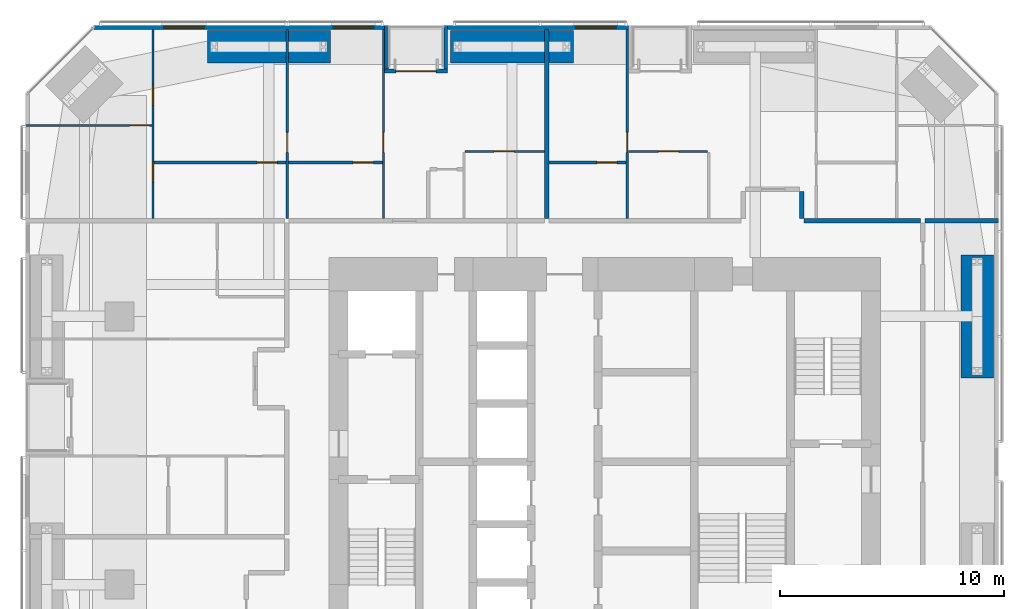
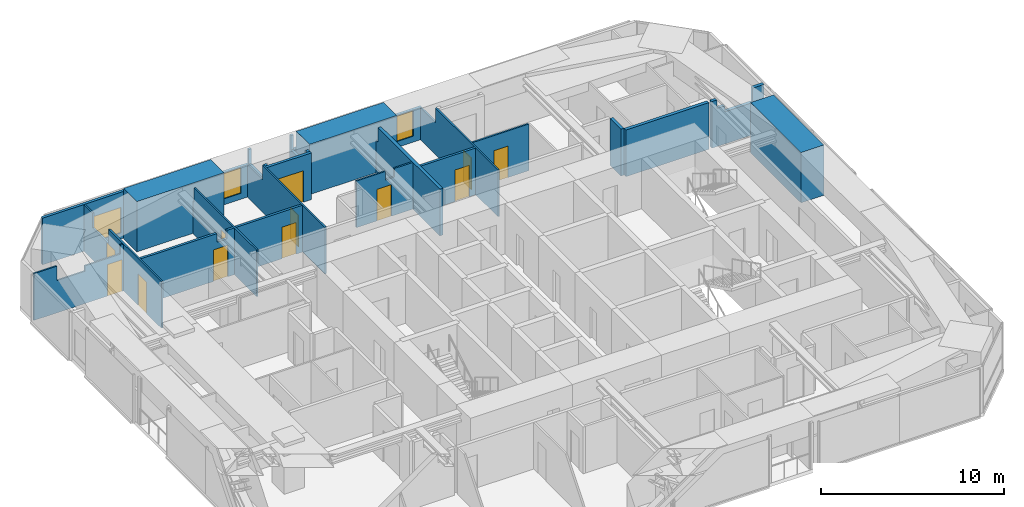
# One storey, part 22 of 24: 22 walls, 12 doors, 3 windows, 15 openings.
"""IFC4 building model written with IfcOpenShell, lengths in metres."""

from ifc_helpers import new_model, si_unit, direction, frame, frame_2d, origin, place, context, subcontext, project, spatial, polyline, rectangle, outline, extrude, material, layer, layer_set, constituent, constituent_set, type_object, element, fill, save


model = new_model("IFC4")

# Units and contexts
model_context = context("Model", 3, precision=1e-05, world=origin(), true_north=direction((0.0, 1.0)))
body_context = subcontext(model_context, "Body", "Model", "MODEL_VIEW")
ifc_project = project(units=[si_unit("LENGTHUNIT", "METRE"), si_unit("AREAUNIT", "SQUARE_METRE"), si_unit("VOLUMEUNIT", "CUBIC_METRE"), si_unit("PLANEANGLEUNIT", "RADIAN"), si_unit("MASSUNIT", "GRAM", prefix="KILO")], contexts=[model_context])

# Site, building, storey
site_placement = place(None, origin())
site = spatial("IfcSite", under=ifc_project, at=site_placement, CompositionType="ELEMENT")
building_placement = place(site_placement, origin())
building = spatial("IfcBuilding", under=site, at=building_placement, Name="Jalousie Tower", CompositionType="ELEMENT")
storey_placement = place(building_placement, frame((0.0, 0.0, 124.949951171875)))
storey = spatial("IfcBuildingStorey", under=building, at=storey_placement, Name="L34", CompositionType="ELEMENT", Elevation=124.949951171875)

# Wall, opening, door
ifc_material_1 = material(Name="Concrete block ASTM C90", Category="concrete")
ifc_constituent_1 = constituent(ifc_material_1, Name="Body")
ifc_material_2 = material(Name="Render")
ifc_constituent_2 = constituent(ifc_material_2, Name="Finish")
ifc_constituent_set_1 = constituent_set(constituents=[ifc_constituent_1, ifc_constituent_2])
wall_type_1 = type_object("IfcWallType", Name="BATHROOM WALL 150", PredefinedType="PLUMBINGWALL", material=ifc_constituent_set_1)
wall_1_placement = place(storey_placement, frame((11.75, 31.875, 0.0), z_axis=(0.0, 0.0, 1.0), x_axis=(1.0, 0.0, 0.0)))
wall_1 = element("IfcWall", 1, at=wall_1_placement, inside=storey, type_object=wall_type_1, Name="Bathroom Wall 150 L34", PredefinedType="PLUMBINGWALL", context=body_context, shape_type="SweptSolid", body=[
    extrude(outline(polyline([(0.0, 0.0), (5.89990234375, 0.0), (5.89990234375, 3.110107421875), (5.4375, 3.110107421875), (5.4375, 2.541015625), (4.8125, 2.541015625), (4.8125, 3.110107421875), (0.0, 3.110107421875), (0.0, 0.0)])), frame((0.0, 0.074951171875, 0.0), z_axis=(0.0, -1.0, 0.0), x_axis=(1.0, 0.0, 0.0)), (0.0, 0.0, 1.0), 0.14990234375),
])
opening_1_placement = place(wall_1_placement, frame((4.60009765625, 0.0, 0.0)))
opening_1 = element("IfcOpeningElement", 2, at=opening_1_placement, cuts=wall_1, Name="Opening D3", PredefinedType="OPENING", context=body_context, shape_type="SweptSolid", body=[
    extrude(rectangle(XDim=0.89990234375, YDim=2.10009765625, at=frame_2d((0.449951171875, 1.050048828125))), frame((0.0, 0.0849609375, 0.0), z_axis=(0.0, -1.0, 0.0), x_axis=(1.0, 0.0, 0.0)), (0.0, 0.0, 1.0), 0.169921875),
])
ifc_material_3 = material(Name="Timber door", Category="wood")
door_type_1 = type_object("IfcDoorType", Name="BATHROOM DOOR 900", OperationType="SINGLE_SWING_LEFT", PredefinedType="DOOR", material=ifc_material_3)
door_1_placement = place(opening_1_placement, frame((0.89990234375, 0.0, 0.0), z_axis=(0.0, 0.0, 1.0), x_axis=(-1.0, 0.0, 0.0)))
door_1 = element("IfcDoor", 3, at=door_1_placement, inside=storey, type_object=door_type_1, Name="Apartment 3403 bedroom 2 bathroom door", OperationType="SINGLE_SWING_LEFT", OverallHeight=2.10009765625, OverallWidth=0.89990234375, PredefinedType="DOOR", context=body_context, shape_type="SweptSolid", body=[
    extrude(rectangle(XDim=0.89990234375, YDim=2.10009765625, at=frame_2d((0.449951171875, 1.050048828125))), frame((0.0, 0.02490234375, 0.0), z_axis=(0.0, -1.0, 0.0), x_axis=(1.0, 0.0, 0.0)), (0.0, 0.0, 1.0), 0.050048828125),
])
fill(opening_1, door_1)

wall_2_placement = place(storey_placement, frame((17.75, 31.875, 0.0), z_axis=(0.0, 0.0, 1.0), x_axis=(1.0, 0.0, 0.0)))
wall_2 = element("IfcWall", 4, at=wall_2_placement, inside=storey, type_object=wall_type_1, Name="Bathroom Wall 150 L34", PredefinedType="PLUMBINGWALL", context=body_context, shape_type="SweptSolid", body=[
    extrude(rectangle(XDim=4.199951171875, YDim=0.14990234375, at=frame_2d((2.10009765625, 0.0))), origin(), (0.0, 0.0, 1.0), 3.110107421875),
])
opening_2_placement = place(wall_2_placement, frame((2.89990234375, 0.0, 0.0)))
opening_2 = element("IfcOpeningElement", 5, at=opening_2_placement, cuts=wall_2, Name="Opening D3", PredefinedType="OPENING", context=body_context, shape_type="SweptSolid", body=[
    extrude(rectangle(XDim=0.89990234375, YDim=2.10009765625, at=frame_2d((0.449951171875, 1.050048828125))), frame((0.0, 0.0849609375, 0.0), z_axis=(0.0, -1.0, 0.0), x_axis=(1.0, 0.0, 0.0)), (0.0, 0.0, 1.0), 0.169921875),
])
door_2_placement = place(opening_2_placement, frame((0.89990234375, 0.0, 0.0), z_axis=(0.0, 0.0, 1.0), x_axis=(-1.0, 0.0, 0.0)))
door_2 = element("IfcDoor", 6, at=door_2_placement, inside=storey, type_object=door_type_1, Name="Apartment 3403 bedroom 3 bathroom door", OperationType="SINGLE_SWING_LEFT", OverallHeight=2.10009765625, OverallWidth=0.89990234375, PredefinedType="DOOR", context=body_context, shape_type="SweptSolid", body=[
    extrude(rectangle(XDim=0.89990234375, YDim=2.10009765625, at=frame_2d((0.449951171875, 1.050048828125))), frame((0.0, 0.02490234375, 0.0), z_axis=(0.0, -1.0, 0.0), x_axis=(1.0, 0.0, 0.0)), (0.0, 0.0, 1.0), 0.050048828125),
])
fill(opening_2, door_2)

wall_3_placement = place(storey_placement, frame((29.39990234375, 31.875, 0.0), z_axis=(0.0, 0.0, 1.0), x_axis=(1.0, 0.0, 0.0)))
wall_3 = element("IfcWall", 7, at=wall_3_placement, inside=storey, type_object=wall_type_1, Name="Bathroom Wall 150 L34", PredefinedType="PLUMBINGWALL", context=body_context, shape_type="SweptSolid", body=[
    extrude(rectangle(XDim=3.4501953125, YDim=0.14990234375, at=frame_2d((1.72509765625, 0.0))), origin(), (0.0, 0.0, 1.0), 3.110107421875),
])
opening_3_placement = place(wall_3_placement, frame((2.14990234375, 0.0, 0.0)))
opening_3 = element("IfcOpeningElement", 8, at=opening_3_placement, cuts=wall_3, Name="Opening D3", PredefinedType="OPENING", context=body_context, shape_type="SweptSolid", body=[
    extrude(rectangle(XDim=0.89990234375, YDim=2.10009765625, at=frame_2d((0.449951171875, 1.050048828125))), frame((0.0, 0.0849609375, 0.0), z_axis=(0.0, -1.0, 0.0), x_axis=(1.0, 0.0, 0.0)), (0.0, 0.0, 1.0), 0.169921875),
])
door_3_placement = place(opening_3_placement, frame((0.89990234375, 0.0, 0.0), z_axis=(0.0, 0.0, 1.0), x_axis=(-1.0, 0.0, 0.0)))
door_3 = element("IfcDoor", 9, at=door_3_placement, inside=storey, type_object=door_type_1, Name="Apartment 3404 bedroom 1 bathroom door", OperationType="SINGLE_SWING_LEFT", OverallHeight=2.10009765625, OverallWidth=0.89990234375, PredefinedType="DOOR", context=body_context, shape_type="SweptSolid", body=[
    extrude(rectangle(XDim=0.89990234375, YDim=2.10009765625, at=frame_2d((0.449951171875, 1.050048828125))), frame((0.0, 0.02490234375, 0.0), z_axis=(0.0, -1.0, 0.0), x_axis=(1.0, 0.0, 0.0)), (0.0, 0.0, 1.0), 0.050048828125),
])
fill(opening_3, door_3)

# Walls
ifc_material_4 = material(Name="Concrete block ASTM C90", Category="concrete")
ifc_constituent_3 = constituent(ifc_material_4, Name="Body")
ifc_material_5 = material(Name="Render")
ifc_constituent_4 = constituent(ifc_material_5, Name="Finish")
ifc_constituent_set_2 = constituent_set(constituents=[ifc_constituent_3, ifc_constituent_4])
wall_type_2 = type_object("IfcWallType", Name="CORRIDOR WALL 200", PredefinedType="PARTITIONING", material=ifc_constituent_set_2)
wall_4_placement = place(storey_placement, frame((40.800048828125, 29.27490234375, 0.0), z_axis=(0.0, 0.0, 1.0), x_axis=(1.0, 0.0, 0.0)))
element("IfcWall", 10, at=wall_4_placement, inside=storey, type_object=wall_type_2, Name="Corridor Wall 200 L34", PredefinedType="PARTITIONING", context=body_context, shape_type="SweptSolid", body=[
    extrude(rectangle(XDim=5.224853515625, YDim=0.199951171875, at=frame_2d((2.6123046875, 0.0))), origin(), (0.0, 0.0, 1.0), 3.110107421875),
])
wall_5_placement = place(storey_placement, frame((40.699951171875, 29.375, 0.0), z_axis=(0.0, 0.0, 1.0), x_axis=(0.0, 1.0, 0.0)))
element("IfcWall", 11, at=wall_5_placement, inside=storey, type_object=wall_type_2, Name="Corridor Wall 200 L34", PredefinedType="PARTITIONING", context=body_context, shape_type="SweptSolid", body=[
    extrude(rectangle(XDim=1.199951171875, YDim=0.199951171875, at=frame_2d((0.60009765625, 0.0))), origin(), (0.0, 0.0, 1.0), 3.110107421875),
])

# Wall, opening, window
ifc_material_6 = material(Name="Concrete f'c 40 MPa", Category="concrete")
ifc_constituent_5 = constituent(ifc_material_6, Name="Body")
ifc_material_7 = material(Name="Render, pastel sea green")
ifc_constituent_6 = constituent(ifc_material_7, Name="Finish")
ifc_constituent_set_3 = constituent_set(constituents=[ifc_constituent_5, ifc_constituent_6])
wall_type_3 = type_object("IfcWallType", Name="EXTERNAL WALL 175 SEA GREEN RENDER", PredefinedType="SOLIDWALL", material=ifc_constituent_set_3)
wall_6_placement = place(storey_placement, frame((32.949951171875, 37.91259765625, 0.0), z_axis=(0.0, 0.0, 1.0), x_axis=(-1.0, 0.0, 0.0)))
wall_6 = element("IfcWall", 12, at=wall_6_placement, inside=storey, type_object=wall_type_3, Name="External Wall 175 Sea Green Render L34", PredefinedType="SOLIDWALL", context=body_context, shape_type="SweptSolid", body=[
    extrude(rectangle(XDim=8.074951171875, YDim=0.175048828125, at=frame_2d((4.03759765625, 0.0))), origin(), (0.0, 0.0, 1.0), 2.150146484375),
])
opening_4_placement = place(wall_6_placement, frame((0.550048828125, 0.0, 0.39990234375)))
opening_4 = element("IfcOpeningElement", 13, at=opening_4_placement, cuts=wall_6, Name="Opening W-BED170", PredefinedType="OPENING", context=body_context, shape_type="SweptSolid", body=[
    extrude(rectangle(XDim=1.800048828125, YDim=1.699951171875, at=frame_2d((0.89990234375, 0.85009765625))), frame((0.0, 0.097412109375, 0.0), z_axis=(0.0, -1.0, 0.0), x_axis=(1.0, 0.0, 0.0)), (0.0, 0.0, 1.0), 0.195068359375),
])
ifc_material_8 = material(Name="Aluminium frame, impact-rated glazing", Category="aluminium")
window_type = type_object("IfcWindowType", Name="WINDOW BED 1800x1700", PartitioningType="SINGLE_PANEL", PredefinedType="WINDOW", material=ifc_material_8)
window_1_placement = place(opening_4_placement, origin())
window_1 = element("IfcWindow", 14, at=window_1_placement, inside=storey, type_object=window_type, Name="Apartment 3404 bedroom 1 window", OverallHeight=1.699951171875, OverallWidth=1.800048828125, PartitioningType="SINGLE_PANEL", PredefinedType="WINDOW", context=body_context, shape_type="SweptSolid", body=[
    extrude(rectangle(XDim=1.800048828125, YDim=1.699951171875, at=frame_2d((0.89990234375, 0.85009765625))), frame((0.0, 0.030029296875, 0.0), z_axis=(0.0, -1.0, 0.0), x_axis=(1.0, 0.0, 0.0)), (0.0, 0.0, 1.0), 0.06005859375),
])
fill(opening_4, window_1)

# Wall, openings, windows
wall_7_placement = place(storey_placement, frame((22.050048828125, 37.91259765625, 0.0), z_axis=(0.0, 0.0, 1.0), x_axis=(-1.0, 0.0, 0.0)))
wall_7 = element("IfcWall", 15, at=wall_7_placement, inside=storey, type_object=wall_type_3, Name="External Wall 175 Sea Green Render L34", PredefinedType="SOLIDWALL", context=body_context, shape_type="SweptSolid", body=[
    extrude(outline(polyline([(0.0, 0.0), (12.998779296875, 0.0), (12.998779296875, 3.110107421875), (5.37841796875, 3.110107421875), (5.37841796875, 2.150146484375), (5.3330078125, 2.150146484375), (5.3330078125, 3.110107421875), (5.175048828125, 3.110107421875), (5.175048828125, 2.150146484375), (0.0, 2.150146484375), (0.0, 0.0)])), frame((0.0, 0.08740234375, 0.0), z_axis=(0.0, -1.0, 0.0), x_axis=(1.0, 0.0, 0.0)), (0.0, 0.0, 1.0), 0.175048828125),
])
opening_5_placement = place(wall_7_placement, frame((0.492431640625, 0.0, 0.39990234375)))
opening_5 = element("IfcOpeningElement", 16, at=opening_5_placement, cuts=wall_7, Name="Opening W-BED170", PredefinedType="OPENING", context=body_context, shape_type="SweptSolid", body=[
    extrude(rectangle(XDim=1.800048828125, YDim=1.699951171875, at=frame_2d((0.89990234375, 0.85009765625))), frame((0.0, 0.097412109375, 0.0), z_axis=(0.0, -1.0, 0.0), x_axis=(1.0, 0.0, 0.0)), (0.0, 0.0, 1.0), 0.195068359375),
])
opening_6_placement = place(wall_7_placement, frame((8.06494140625, 0.0, 0.39990234375)))
opening_6 = element("IfcOpeningElement", 17, at=opening_6_placement, cuts=wall_7, Name="Opening W-BED170", PredefinedType="OPENING", context=body_context, shape_type="SweptSolid", body=[
    extrude(rectangle(XDim=1.800048828125, YDim=1.699951171875, at=frame_2d((0.89990234375, 0.85009765625))), frame((0.0, 0.097412109375, 0.0), z_axis=(0.0, -1.0, 0.0), x_axis=(1.0, 0.0, 0.0)), (0.0, 0.0, 1.0), 0.195068359375),
])
window_2_placement = place(opening_5_placement, origin())
window_2 = element("IfcWindow", 18, at=window_2_placement, inside=storey, type_object=window_type, Name="Apartment 3403 bedroom 3 window", OverallHeight=1.699951171875, OverallWidth=1.800048828125, PartitioningType="SINGLE_PANEL", PredefinedType="WINDOW", context=body_context, shape_type="SweptSolid", body=[
    extrude(rectangle(XDim=1.800048828125, YDim=1.699951171875, at=frame_2d((0.89990234375, 0.85009765625))), frame((0.0, 0.030029296875, 0.0), z_axis=(0.0, -1.0, 0.0), x_axis=(1.0, 0.0, 0.0)), (0.0, 0.0, 1.0), 0.06005859375),
])
fill(opening_5, window_2)
window_3_placement = place(opening_6_placement, origin())
window_3 = element("IfcWindow", 19, at=window_3_placement, inside=storey, type_object=window_type, Name="Apartment 3403 bedroom 2 window", OverallHeight=1.699951171875, OverallWidth=1.800048828125, PartitioningType="SINGLE_PANEL", PredefinedType="WINDOW", context=body_context, shape_type="SweptSolid", body=[
    extrude(rectangle(XDim=1.800048828125, YDim=1.699951171875, at=frame_2d((0.89990234375, 0.85009765625))), frame((0.0, 0.030029296875, 0.0), z_axis=(0.0, -1.0, 0.0), x_axis=(1.0, 0.0, 0.0)), (0.0, 0.0, 1.0), 0.06005859375),
])
fill(opening_6, window_3)

# Wall, opening, door
wall_8_placement = place(storey_placement, frame((24.875, 35.96240234375, 0.0), z_axis=(0.0, 0.0, 1.0), x_axis=(-1.0, 0.0, 0.0)))
wall_8 = element("IfcWall", 20, at=wall_8_placement, inside=storey, type_object=wall_type_3, Name="External Wall 175 Sea Green Render L34", PredefinedType="SOLIDWALL", context=body_context, shape_type="SweptSolid", body=[
    extrude(rectangle(XDim=2.824951171875, YDim=0.175048828125, at=frame_2d((1.41259765625, 0.0))), origin(), (0.0, 0.0, 1.0), 3.110107421875),
])
opening_7_placement = place(wall_8_placement, frame((0.512451171875, 0.0, 0.0)))
opening_7 = element("IfcOpeningElement", 21, at=opening_7_placement, cuts=wall_8, Name="Opening D-BAL21", PredefinedType="OPENING", context=body_context, shape_type="SweptSolid", body=[
    extrude(rectangle(XDim=1.800048828125, YDim=2.10009765625, at=frame_2d((0.89990234375, 1.050048828125))), frame((0.0, 0.097412109375, 0.0), z_axis=(0.0, -1.0, 0.0), x_axis=(1.0, 0.0, 0.0)), (0.0, 0.0, 1.0), 0.195068359375),
])
ifc_material_9 = material(Name="Aluminium frame, impact-rated glazing", Category="aluminium")
door_type_2 = type_object("IfcDoorType", Name="BALCONY DOOR 1800x2100", OperationType="SLIDING_TO_LEFT", PredefinedType="DOOR", material=ifc_material_9)
door_4_placement = place(opening_7_placement, origin())
door_4 = element("IfcDoor", 22, at=door_4_placement, inside=storey, type_object=door_type_2, Name="Apartment 3403 living and dining room loggia door", OperationType="SLIDING_TO_LEFT", OverallHeight=2.10009765625, OverallWidth=1.800048828125, PredefinedType="DOOR", context=body_context, shape_type="SweptSolid", body=[
    extrude(rectangle(XDim=1.800048828125, YDim=2.10009765625, at=frame_2d((0.89990234375, 1.050048828125))), frame((0.0, 0.02490234375, 0.0), z_axis=(0.0, -1.0, 0.0), x_axis=(1.0, 0.0, 0.0)), (0.0, 0.0, 1.0), 0.050048828125),
])
fill(opening_7, door_4)

# Walls
for number, where, z_axis, x_axis, name in (
    (23, (24.78759765625, 38.0, 0.0), (0.0, 0.0, 1.0), (0.0, -1.0, 0.0), "External Wall 175 Sea Green Render L34"),
    (24, (22.137451171875, 38.0, 0.0), (0.0, 0.0, 1.0), (0.0, -1.0, 0.0), "External Wall 175 Sea Green Render L34"),
):
    element("IfcWall", number, at=place(storey_placement, frame(where, z_axis=z_axis, x_axis=x_axis)), inside=storey, type_object=wall_type_3, Name=name, PredefinedType="SOLIDWALL", context=body_context, shape_type="SweptSolid", body=[
        extrude(outline(polyline([(0.0, 0.0), (1.949951171875, 0.0), (1.949951171875, 3.110107421875), (1.75, 3.110107421875), (1.75, 2.150146484375), (0.14990234375, 2.150146484375), (0.14990234375, 3.110107421875), (0.0, 3.110107421875), (0.0, 0.0)])), frame((0.0, 0.08740234375, 0.0), z_axis=(0.0, -1.0, 0.0), x_axis=(1.0, 0.0, 0.0)), (0.0, 0.0, 1.0), 0.175048828125),
    ])

# Wall, openings, doors
ifc_material_10 = material(Name="Gypsum board", Category="gypsum")
ifc_constituent_7 = constituent(ifc_material_10, Name="Body")
ifc_material_11 = material(Name="Light-gauge steel studs ASTM A653 SS Grade 33", Category="steel")
ifc_constituent_8 = constituent(ifc_material_11, Name="Framing")
ifc_constituent_set_4 = constituent_set(constituents=[ifc_constituent_7, ifc_constituent_8])
wall_type_4 = type_object("IfcWallType", Name="PARTITION 100", PredefinedType="PARTITIONING", material=ifc_constituent_set_4)
wall_9_placement = place(storey_placement, frame((11.699951171875, 37.824951171875, 0.0), z_axis=(0.0, 0.0, 1.0), x_axis=(0.0, -1.0, 0.0)))
wall_9 = element("IfcWall", 25, at=wall_9_placement, inside=storey, type_object=wall_type_4, Name="Partition 100 L34", PredefinedType="PARTITIONING", context=body_context, shape_type="SweptSolid", body=[
    extrude(outline(polyline([(0.0, 0.0), (8.449951171875, 0.0), (8.449951171875, 3.110107421875), (2.708251953125, 3.110107421875), (2.708251953125, 2.150146484375), (0.952880859375, 2.150146484375), (0.952880859375, 3.110107421875), (0.0, 3.110107421875), (0.0, 0.0)])), frame((0.0, 0.050048828125, 0.0), z_axis=(0.0, -1.0, 0.0), x_axis=(1.0, 0.0, 0.0)), (0.0, 0.0, 1.0), 0.10009765625),
])
opening_8_placement = place(wall_9_placement, frame((2.48876953125, 0.0, 0.0)))
opening_8 = element("IfcOpeningElement", 26, at=opening_8_placement, cuts=wall_9, Name="Opening D2", PredefinedType="OPENING", context=body_context, shape_type="SweptSolid", body=[
    extrude(rectangle(XDim=0.89990234375, YDim=2.10009765625, at=frame_2d((0.449951171875, 1.050048828125))), frame((0.0, 0.06005859375, 0.0), z_axis=(0.0, -1.0, 0.0), x_axis=(1.0, 0.0, 0.0)), (0.0, 0.0, 1.0), 0.1201171875),
])
opening_9_placement = place(wall_9_placement, frame((5.91943359375, 0.0, 0.0)))
opening_9 = element("IfcOpeningElement", 27, at=opening_9_placement, cuts=wall_9, Name="Opening D3", PredefinedType="OPENING", context=body_context, shape_type="SweptSolid", body=[
    extrude(rectangle(XDim=0.89990234375, YDim=2.10009765625, at=frame_2d((0.449951171875, 1.050048828125))), frame((0.0, 0.06005859375, 0.0), z_axis=(0.0, -1.0, 0.0), x_axis=(1.0, 0.0, 0.0)), (0.0, 0.0, 1.0), 0.1201171875),
])
door_5_placement = place(opening_9_placement, origin())
door_5 = element("IfcDoor", 28, at=door_5_placement, inside=storey, type_object=door_type_1, Name="Apartment 3403 bedroom 1 bathroom door", OperationType="SINGLE_SWING_RIGHT", OverallHeight=2.10009765625, OverallWidth=0.89990234375, PredefinedType="DOOR", context=body_context, shape_type="SweptSolid", body=[
    extrude(rectangle(XDim=0.89990234375, YDim=2.10009765625, at=frame_2d((0.449951171875, 1.050048828125))), frame((0.0, 0.02490234375, 0.0), z_axis=(0.0, -1.0, 0.0), x_axis=(1.0, 0.0, 0.0)), (0.0, 0.0, 1.0), 0.050048828125),
])
fill(opening_9, door_5)
ifc_material_12 = material(Name="Timber door", Category="wood")
door_type_3 = type_object("IfcDoorType", Name="BEDROOM DOOR 900", OperationType="SINGLE_SWING_LEFT", PredefinedType="DOOR", material=ifc_material_12)
door_6_placement = place(opening_8_placement, origin())
door_6 = element("IfcDoor", 29, at=door_6_placement, inside=storey, type_object=door_type_3, Name="Apartment 3403 bedroom 1 door", OperationType="SINGLE_SWING_RIGHT", OverallHeight=2.10009765625, OverallWidth=0.89990234375, PredefinedType="DOOR", context=body_context, shape_type="SweptSolid", body=[
    extrude(rectangle(XDim=0.89990234375, YDim=2.10009765625, at=frame_2d((0.449951171875, 1.050048828125))), frame((0.0, 0.02490234375, 0.0), z_axis=(0.0, -1.0, 0.0), x_axis=(1.0, 0.0, 0.0)), (0.0, 0.0, 1.0), 0.050048828125),
])
fill(opening_8, door_6)

# Wall, opening, door
wall_10_placement = place(storey_placement, frame((17.699951171875, 37.824951171875, 0.0), z_axis=(0.0, 0.0, 1.0), x_axis=(0.0, -1.0, 0.0)))
wall_10 = element("IfcWall", 30, at=wall_10_placement, inside=storey, type_object=wall_type_4, Name="Partition 100 L34", PredefinedType="PARTITIONING", context=body_context, shape_type="SweptSolid", body=[
    extrude(outline(polyline([(1.635009765625, 2.150146484375), (0.0, 2.150146484375), (0.0, 0.0), (8.449951171875, 0.0), (8.449951171875, 3.110107421875), (1.635009765625, 3.110107421875), (1.635009765625, 2.150146484375)]), holes=[polyline([(1.021240234375, 0.115966796875), (0.52880859375, 0.115966796875), (0.52880859375, 0.906005859375), (1.021240234375, 0.906005859375), (1.021240234375, 0.115966796875)]), polyline([(1.021240234375, 1.244140625), (0.52880859375, 1.244140625), (0.52880859375, 2.033935546875), (1.021240234375, 2.033935546875), (1.021240234375, 1.244140625)])]), frame((0.0, 0.050048828125, 0.0), z_axis=(0.0, -1.0, 0.0), x_axis=(1.0, 0.0, 0.0)), (0.0, 0.0, 1.0), 0.10009765625),
])
opening_10_placement = place(wall_10_placement, frame((4.60009765625, 0.0, 0.0)))
opening_10 = element("IfcOpeningElement", 31, at=opening_10_placement, cuts=wall_10, Name="Opening D2", PredefinedType="OPENING", context=body_context, shape_type="SweptSolid", body=[
    extrude(rectangle(XDim=0.89990234375, YDim=2.10009765625, at=frame_2d((0.449951171875, 1.050048828125))), frame((0.0, 0.06005859375, 0.0), z_axis=(0.0, -1.0, 0.0), x_axis=(1.0, 0.0, 0.0)), (0.0, 0.0, 1.0), 0.1201171875),
])
door_7_placement = place(opening_10_placement, frame((0.89990234375, 0.0, 0.0), z_axis=(0.0, 0.0, 1.0), x_axis=(-1.0, 0.0, 0.0)))
door_7 = element("IfcDoor", 32, at=door_7_placement, inside=storey, type_object=door_type_3, Name="Apartment 3403 bedroom 2 door", OperationType="SINGLE_SWING_LEFT", OverallHeight=2.10009765625, OverallWidth=0.89990234375, PredefinedType="DOOR", context=body_context, shape_type="SweptSolid", body=[
    extrude(rectangle(XDim=0.89990234375, YDim=2.10009765625, at=frame_2d((0.449951171875, 1.050048828125))), frame((0.0, 0.02490234375, 0.0), z_axis=(0.0, -1.0, 0.0), x_axis=(1.0, 0.0, 0.0)), (0.0, 0.0, 1.0), 0.050048828125),
])
fill(opening_10, door_7)

wall_11_placement = place(storey_placement, frame((22.0, 37.824951171875, 0.0), z_axis=(0.0, 0.0, 1.0), x_axis=(0.0, -1.0, 0.0)))
wall_11 = element("IfcWall", 33, at=wall_11_placement, inside=storey, type_object=wall_type_4, Name="Partition 100 L34", PredefinedType="PARTITIONING", context=body_context, shape_type="SweptSolid", body=[
    extrude(outline(polyline([(0.0, 0.0), (8.449951171875, 0.0), (8.449951171875, 3.110107421875), (1.635009765625, 3.110107421875), (1.635009765625, 2.150146484375), (0.0, 2.150146484375), (0.0, 3.110107421875), (0.0, 0.0)])), frame((0.0, 0.050048828125, 0.0), z_axis=(0.0, -1.0, 0.0), x_axis=(1.0, 0.0, 0.0)), (0.0, 0.0, 1.0), 0.10009765625),
])
opening_11_placement = place(wall_11_placement, frame((4.60009765625, 0.0, 0.0)))
opening_11 = element("IfcOpeningElement", 34, at=opening_11_placement, cuts=wall_11, Name="Opening D2", PredefinedType="OPENING", context=body_context, shape_type="SweptSolid", body=[
    extrude(rectangle(XDim=0.89990234375, YDim=2.10009765625, at=frame_2d((0.449951171875, 1.050048828125))), frame((0.0, 0.06005859375, 0.0), z_axis=(0.0, -1.0, 0.0), x_axis=(1.0, 0.0, 0.0)), (0.0, 0.0, 1.0), 0.1201171875),
])
door_8_placement = place(opening_11_placement, frame((0.89990234375, 0.0, 0.0), z_axis=(0.0, 0.0, 1.0), x_axis=(-1.0, 0.0, 0.0)))
door_8 = element("IfcDoor", 35, at=door_8_placement, inside=storey, type_object=door_type_3, Name="Apartment 3403 bedroom 3 door", OperationType="SINGLE_SWING_LEFT", OverallHeight=2.10009765625, OverallWidth=0.89990234375, PredefinedType="DOOR", context=body_context, shape_type="SweptSolid", body=[
    extrude(rectangle(XDim=0.89990234375, YDim=2.10009765625, at=frame_2d((0.449951171875, 1.050048828125))), frame((0.0, 0.02490234375, 0.0), z_axis=(0.0, -1.0, 0.0), x_axis=(1.0, 0.0, 0.0)), (0.0, 0.0, 1.0), 0.050048828125),
])
fill(opening_11, door_8)

wall_12_placement = place(storey_placement, frame((6.0, 33.5361328125, 0.0), z_axis=(0.0, 0.0, 1.0), x_axis=(1.0, 0.0, 0.0)))
wall_12 = element("IfcWall", 36, at=wall_12_placement, inside=storey, type_object=wall_type_4, Name="Partition 100 L34", PredefinedType="PARTITIONING", context=body_context, shape_type="SweptSolid", body=[
    extrude(outline(polyline([(0.0, 0.0), (5.64990234375, 0.0), (5.64990234375, 3.110107421875), (5.4599609375, 3.110107421875), (5.4599609375, 2.510009765625), (3.20556640625, 2.510009765625), (3.20556640625, 2.150146484375), (1.462890625, 2.150146484375), (1.462890625, 3.110107421875), (0.0, 3.110107421875), (0.0, 0.0)])), frame((0.0, 0.050048828125, 0.0), z_axis=(0.0, -1.0, 0.0), x_axis=(1.0, 0.0, 0.0)), (0.0, 0.0, 1.0), 0.10009765625),
])
opening_12_placement = place(wall_12_placement, frame((4.64990234375, 0.0, 0.0)))
opening_12 = element("IfcOpeningElement", 37, at=opening_12_placement, cuts=wall_12, Name="Opening D7", PredefinedType="OPENING", context=body_context, shape_type="SweptSolid", body=[
    extrude(rectangle(XDim=0.89990234375, YDim=2.10009765625, at=frame_2d((0.449951171875, 1.050048828125))), frame((0.0, 0.06005859375, 0.0), z_axis=(0.0, -1.0, 0.0), x_axis=(1.0, 0.0, 0.0)), (0.0, 0.0, 1.0), 0.1201171875),
])
ifc_material_13 = material(Name="Timber door", Category="wood")
door_type_4 = type_object("IfcDoorType", Name="INTERNAL DOOR 900", OperationType="SINGLE_SWING_LEFT", PredefinedType="DOOR", material=ifc_material_13)
door_9_placement = place(opening_12_placement, frame((0.89990234375, 0.0, 0.0), z_axis=(0.0, 0.0, 1.0), x_axis=(-1.0, 0.0, 0.0)))
door_9 = element("IfcDoor", 38, at=door_9_placement, inside=storey, type_object=door_type_4, Name="Apartment 3403 bedroom 1 dressing hall door", OperationType="SINGLE_SWING_LEFT", OverallHeight=2.10009765625, OverallWidth=0.89990234375, PredefinedType="DOOR", context=body_context, shape_type="SweptSolid", body=[
    extrude(rectangle(XDim=0.89990234375, YDim=2.10009765625, at=frame_2d((0.449951171875, 1.050048828125))), frame((0.0, 0.02490234375, 0.0), z_axis=(0.0, -1.0, 0.0), x_axis=(1.0, 0.0, 0.0)), (0.0, 0.0, 1.0), 0.050048828125),
])
fill(opening_12, door_9)

wall_13_placement = place(storey_placement, frame((25.64990234375, 32.375, 0.0), z_axis=(0.0, 0.0, 1.0), x_axis=(1.0, 0.0, 0.0)))
wall_13 = element("IfcWall", 39, at=wall_13_placement, inside=storey, type_object=wall_type_4, Name="Partition 100 L34", PredefinedType="PARTITIONING", context=body_context, shape_type="SweptSolid", body=[
    extrude(outline(polyline([(0.0, 0.0), (3.550048828125, 0.0), (3.550048828125, 3.110107421875), (2.38720703125, 3.110107421875), (2.38720703125, 2.541015625), (1.8125, 2.541015625), (1.8125, 3.110107421875), (0.0, 3.110107421875), (0.0, 0.0)])), frame((0.0, 0.050048828125, 0.0), z_axis=(0.0, -1.0, 0.0), x_axis=(1.0, 0.0, 0.0)), (0.0, 0.0, 1.0), 0.10009765625),
])
opening_13_placement = place(wall_13_placement, frame((1.300048828125, 0.0, 0.0)))
opening_13 = element("IfcOpeningElement", 40, at=opening_13_placement, cuts=wall_13, Name="Opening D7", PredefinedType="OPENING", context=body_context, shape_type="SweptSolid", body=[
    extrude(rectangle(XDim=0.89990234375, YDim=2.10009765625, at=frame_2d((0.449951171875, 1.050048828125))), frame((0.0, 0.06005859375, 0.0), z_axis=(0.0, -1.0, 0.0), x_axis=(1.0, 0.0, 0.0)), (0.0, 0.0, 1.0), 0.1201171875),
])
door_10_placement = place(opening_13_placement, origin())
door_10 = element("IfcDoor", 41, at=door_10_placement, inside=storey, type_object=door_type_4, Name="Apartment 3403 kitchen door", OperationType="SINGLE_SWING_RIGHT", OverallHeight=2.10009765625, OverallWidth=0.89990234375, PredefinedType="DOOR", context=body_context, shape_type="SweptSolid", body=[
    extrude(rectangle(XDim=0.89990234375, YDim=2.10009765625, at=frame_2d((0.449951171875, 1.050048828125))), frame((0.0, 0.02490234375, 0.0), z_axis=(0.0, -1.0, 0.0), x_axis=(1.0, 0.0, 0.0)), (0.0, 0.0, 1.0), 0.050048828125),
])
fill(opening_13, door_10)

wall_14_placement = place(storey_placement, frame((32.89990234375, 37.824951171875, 0.0), z_axis=(0.0, 0.0, 1.0), x_axis=(0.0, -1.0, 0.0)))
wall_14 = element("IfcWall", 42, at=wall_14_placement, inside=storey, type_object=wall_type_4, Name="Partition 100 L34", PredefinedType="PARTITIONING", context=body_context, shape_type="SweptSolid", body=[
    extrude(outline(polyline([(0.0, 0.0), (8.449951171875, 0.0), (8.449951171875, 3.110107421875), (1.635009765625, 3.110107421875), (1.635009765625, 2.150146484375), (0.0, 2.150146484375), (0.0, 3.110107421875), (0.0, 0.0)])), frame((0.0, 0.050048828125, 0.0), z_axis=(0.0, -1.0, 0.0), x_axis=(1.0, 0.0, 0.0)), (0.0, 0.0, 1.0), 0.10009765625),
])
opening_14_placement = place(wall_14_placement, frame((4.60009765625, 0.0, 0.0)))
opening_14 = element("IfcOpeningElement", 43, at=opening_14_placement, cuts=wall_14, Name="Opening D2", PredefinedType="OPENING", context=body_context, shape_type="SweptSolid", body=[
    extrude(rectangle(XDim=0.89990234375, YDim=2.10009765625, at=frame_2d((0.449951171875, 1.050048828125))), frame((0.0, 0.06005859375, 0.0), z_axis=(0.0, -1.0, 0.0), x_axis=(1.0, 0.0, 0.0)), (0.0, 0.0, 1.0), 0.1201171875),
])
door_11_placement = place(opening_14_placement, frame((0.89990234375, 0.0, 0.0), z_axis=(0.0, 0.0, 1.0), x_axis=(-1.0, 0.0, 0.0)))
door_11 = element("IfcDoor", 44, at=door_11_placement, inside=storey, type_object=door_type_3, Name="Apartment 3404 bedroom 1 door", OperationType="SINGLE_SWING_LEFT", OverallHeight=2.10009765625, OverallWidth=0.89990234375, PredefinedType="DOOR", context=body_context, shape_type="SweptSolid", body=[
    extrude(rectangle(XDim=0.89990234375, YDim=2.10009765625, at=frame_2d((0.449951171875, 1.050048828125))), frame((0.0, 0.02490234375, 0.0), z_axis=(0.0, -1.0, 0.0), x_axis=(1.0, 0.0, 0.0)), (0.0, 0.0, 1.0), 0.050048828125),
])
fill(opening_14, door_11)

wall_15_placement = place(storey_placement, frame((32.949951171875, 32.375, 0.0), z_axis=(0.0, 0.0, 1.0), x_axis=(1.0, 0.0, 0.0)))
wall_15 = element("IfcWall", 45, at=wall_15_placement, inside=storey, type_object=wall_type_4, Name="Partition 100 L34", PredefinedType="PARTITIONING", context=body_context, shape_type="SweptSolid", body=[
    extrude(rectangle(XDim=3.550048828125, YDim=0.10009765625, at=frame_2d((1.77490234375, 0.0))), origin(), (0.0, 0.0, 1.0), 3.110107421875),
])
opening_15_placement = place(wall_15_placement, frame((1.35009765625, 0.0, 0.0)))
opening_15 = element("IfcOpeningElement", 46, at=opening_15_placement, cuts=wall_15, Name="Opening D7", PredefinedType="OPENING", context=body_context, shape_type="SweptSolid", body=[
    extrude(rectangle(XDim=0.89990234375, YDim=2.10009765625, at=frame_2d((0.449951171875, 1.050048828125))), frame((0.0, 0.06005859375, 0.0), z_axis=(0.0, -1.0, 0.0), x_axis=(1.0, 0.0, 0.0)), (0.0, 0.0, 1.0), 0.1201171875),
])
door_12_placement = place(opening_15_placement, origin())
door_12 = element("IfcDoor", 47, at=door_12_placement, inside=storey, type_object=door_type_4, Name="Apartment 3404 kitchen door", OperationType="SINGLE_SWING_LEFT", OverallHeight=2.10009765625, OverallWidth=0.89990234375, PredefinedType="DOOR", context=body_context, shape_type="SweptSolid", body=[
    extrude(rectangle(XDim=0.89990234375, YDim=2.10009765625, at=frame_2d((0.449951171875, 1.050048828125))), frame((0.0, 0.02490234375, 0.0), z_axis=(0.0, -1.0, 0.0), x_axis=(1.0, 0.0, 0.0)), (0.0, 0.0, 1.0), 0.050048828125),
])
fill(opening_15, door_12)

# Walls
ifc_material_14 = material(Name="Concrete block ASTM C90", Category="concrete")
ifc_constituent_9 = constituent(ifc_material_14, Name="Body")
ifc_material_15 = material(Name="Render")
ifc_constituent_10 = constituent(ifc_material_15, Name="Finish")
ifc_constituent_set_5 = constituent_set(constituents=[ifc_constituent_9, ifc_constituent_10])
wall_type_5 = type_object("IfcWallType", Name="PARTY WALL 200", PredefinedType="PARTITIONING", material=ifc_constituent_set_5)
wall_16_placement = place(storey_placement, frame((29.300048828125, 37.824951171875, 0.0), z_axis=(0.0, 0.0, 1.0), x_axis=(0.0, -1.0, 0.0)))
element("IfcWall", 48, at=wall_16_placement, inside=storey, type_object=wall_type_5, Name="Party Wall 200 L34", PredefinedType="PARTITIONING", context=body_context, shape_type="SweptSolid", body=[
    extrude(outline(polyline([(0.52880859375, 2.150146484375), (0.0, 2.150146484375), (0.0, 0.0), (0.52880859375, 0.0), (0.52880859375, 0.4443359375), (1.021240234375, 0.4443359375), (1.021240234375, 0.0), (8.449951171875, 0.0), (8.449951171875, 3.110107421875), (1.68505859375, 3.110107421875), (1.68505859375, 2.150146484375), (1.021240234375, 2.150146484375), (1.021240234375, 1.70556640625), (0.52880859375, 1.70556640625), (0.52880859375, 2.150146484375)])), frame((0.0, 0.10009765625, 0.0), z_axis=(0.0, -1.0, 0.0), x_axis=(1.0, 0.0, 0.0)), (0.0, 0.0, 1.0), 0.199951171875),
])
wall_17_placement = place(storey_placement, frame((46.22509765625, 29.27490234375, 0.0), z_axis=(0.0, 0.0, 1.0), x_axis=(1.0, 0.0, 0.0)))
element("IfcWall", 49, at=wall_17_placement, inside=storey, type_object=wall_type_5, Name="Party Wall 200 L34", PredefinedType="PARTITIONING", context=body_context, shape_type="SweptSolid", body=[
    extrude(outline(polyline([(0.0, 0.0), (3.27490234375, 0.0), (3.27490234375, 3.110107421875), (2.5537109375, 3.110107421875), (2.5537109375, 2.150146484375), (0.80517578125, 2.150146484375), (0.80517578125, 2.541015625), (0.30615234375, 2.541015625), (0.30615234375, 3.110107421875), (0.0, 3.110107421875), (0.0, 0.0)])), frame((0.0, 0.10009765625, 0.0), z_axis=(0.0, -1.0, 0.0), x_axis=(1.0, 0.0, 0.0)), (0.0, 0.0, 1.0), 0.199951171875),
])
ifc_material_16 = material(Name="Concrete f'c 120 MPa", Category="concrete")
ifc_layer = layer(ifc_material_16, 1.449951171875)
ifc_layer_set = layer_set([ifc_layer], Name="Concrete f'c 120 MPa")
wall_type_6 = type_object("IfcWallType", Name="RC WALL PIER 1450", PredefinedType="SHEAR", material=ifc_layer_set)
for number, where, z_axis, x_axis, name in (
    (50, (48.550048828125, 22.25, 0.0), (0.0, 0.0, 1.0), (0.0, 1.0, 0.0), "Wall pier 07 L34"),
    (51, (25.0, 37.050048828125, 0.0), (0.0, 0.0, 1.0), (1.0, 0.0, 0.0), "Wall pier 10 L34"),
    (52, (14.125, 37.050048828125, 0.0), (0.0, 0.0, 1.0), (1.0, 0.0, 0.0), "Wall pier 11 L34"),
):
    element("IfcWall", number, at=place(storey_placement, frame(where, z_axis=z_axis, x_axis=x_axis)), inside=storey, type_object=wall_type_6, Name=name, PredefinedType="SHEAR", context=body_context, shape_type="SweptSolid", body=[
        extrude(rectangle(XDim=5.5, YDim=1.449951171875, at=frame_2d((2.75, 0.0))), origin(), (0.0, 0.0, 1.0), 3.35009765625),
    ])

save(model, "model.ifc")
